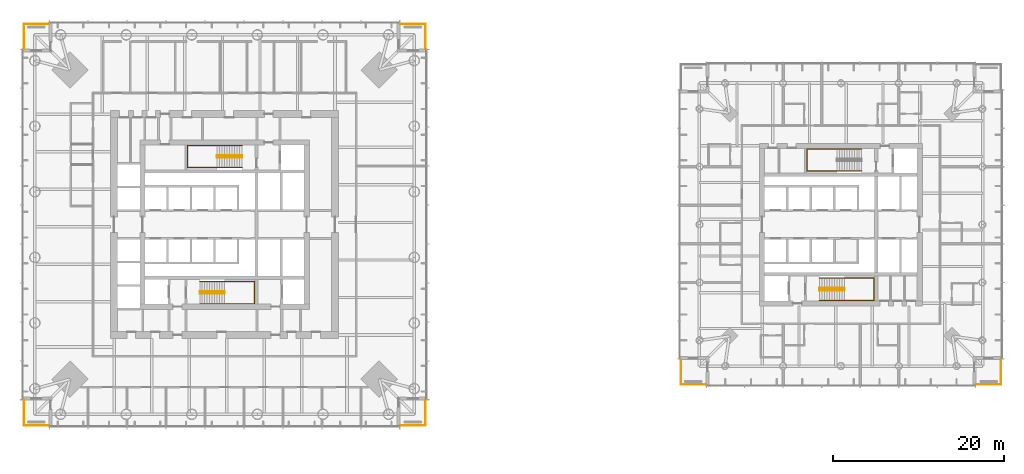
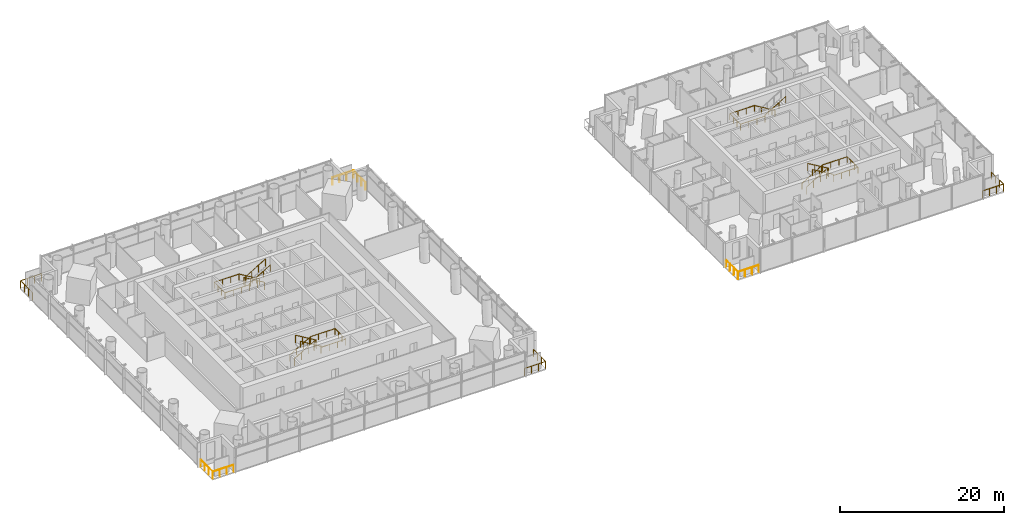
# One storey, part 23 of 24: 13 railings.
"""IFC4 building model written with IfcOpenShell, lengths in metres."""

from ifc_helpers import new_model, si_unit, direction, frame, origin, origin_2d, place, context, subcontext, project, spatial, circle, extrude, material, type_object, element, save


model = new_model("IFC4")

# Units and contexts
model_context = context("Model", 3, precision=1e-05, world=origin(), true_north=direction((0.0, 1.0)))
body_context = subcontext(model_context, "Body", "Model", "MODEL_VIEW")
ifc_project = project(units=[si_unit("LENGTHUNIT", "METRE"), si_unit("AREAUNIT", "SQUARE_METRE"), si_unit("VOLUMEUNIT", "CUBIC_METRE"), si_unit("PLANEANGLEUNIT", "RADIAN"), si_unit("MASSUNIT", "GRAM", prefix="KILO")], contexts=[model_context])

# Site, building, storey
site_placement = place(None, origin())
site = spatial("IfcSite", under=ifc_project, at=site_placement, CompositionType="ELEMENT")
building_placement = place(site_placement, origin())
building = spatial("IfcBuilding", under=site, at=building_placement, Name="Ostroluk Exchange", CompositionType="ELEMENT")
storey_placement = place(building_placement, frame((0.0, 0.0, 78.0)))
storey = spatial("IfcBuildingStorey", under=building, at=storey_placement, Name="L19", CompositionType="ELEMENT", Elevation=78.0)

# Railings
ifc_material_1 = material(Name="Stainless steel", Category="steel")
railing_type_1 = type_object("IfcRailingType", Name="Guard 1100 stainless steel", PredefinedType="GUARDRAIL", material=ifc_material_1)
railing_1_placement = place(storey_placement, frame((65.5, 22.550048828125, 0.0)))
element("IfcRailing", 1, at=railing_1_placement, inside=storey, type_object=railing_type_1, Name="Office tower SE balcony guard L19", PredefinedType="GUARDRAIL", context=body_context, shape_type="SweptSolid", body=[
    extrude(circle(Radius=0.02392578125, at=origin_2d()), frame((0.0, 0.0, 1.076171875), z_axis=(1.0, 0.0, 0.0), x_axis=(0.0, 1.0, 0.0)), (0.0, 0.0, 1.0), 2.949951171875),
    extrude(circle(Radius=0.02392578125, at=origin_2d()), frame((2.949951171875, 0.0, 1.076171875), z_axis=(0.0, 1.0, 0.0), x_axis=(-1.0, 0.0, 0.0)), (0.0, 0.0, 1.0), 2.949951171875),
    extrude(circle(Radius=0.02099609375, at=origin_2d()), origin(), (0.0, 0.0, 1.0), 1.052001953125),
    extrude(circle(Radius=0.02099609375, at=origin_2d()), frame((0.9833984375, 0.0, 0.0)), (0.0, 0.0, 1.0), 1.052001953125),
    extrude(circle(Radius=0.02099609375, at=origin_2d()), frame((1.966552734375, 0.0, 0.0)), (0.0, 0.0, 1.0), 1.052001953125),
    extrude(circle(Radius=0.02099609375, at=origin_2d()), frame((2.949951171875, 0.0, 0.0)), (0.0, 0.0, 1.0), 1.052001953125),
    extrude(circle(Radius=0.02099609375, at=origin_2d()), frame((2.949951171875, 0.9833984375, 0.0)), (0.0, 0.0, 1.0), 1.052001953125),
    extrude(circle(Radius=0.02099609375, at=origin_2d()), frame((2.949951171875, 1.966552734375, 0.0)), (0.0, 0.0, 1.0), 1.052001953125),
    extrude(circle(Radius=0.02099609375, at=origin_2d()), frame((2.949951171875, 2.949951171875, 0.0)), (0.0, 0.0, 1.0), 1.052001953125),
])
railing_2_placement = place(storey_placement, frame((65.5, 69.449951171875, 0.0)))
element("IfcRailing", 2, at=railing_2_placement, inside=storey, type_object=railing_type_1, Name="Office tower NE balcony guard L19", PredefinedType="GUARDRAIL", context=body_context, shape_type="SweptSolid", body=[
    extrude(circle(Radius=0.02392578125, at=origin_2d()), frame((0.0, 0.0, 1.076171875), z_axis=(1.0, 0.0, 0.0), x_axis=(0.0, 1.0, 0.0)), (0.0, 0.0, 1.0), 2.949951171875),
    extrude(circle(Radius=0.02392578125, at=origin_2d()), frame((2.949951171875, 0.0, 1.076171875), z_axis=(0.0, -1.0, 0.0), x_axis=(1.0, 0.0, 0.0)), (0.0, 0.0, 1.0), 2.949951171875),
    extrude(circle(Radius=0.02099609375, at=origin_2d()), origin(), (0.0, 0.0, 1.0), 1.052001953125),
    extrude(circle(Radius=0.02099609375, at=origin_2d()), frame((0.9833984375, 0.0, 0.0)), (0.0, 0.0, 1.0), 1.052001953125),
    extrude(circle(Radius=0.02099609375, at=origin_2d()), frame((1.966552734375, 0.0, 0.0)), (0.0, 0.0, 1.0), 1.052001953125),
    extrude(circle(Radius=0.02099609375, at=origin_2d()), frame((2.949951171875, 0.0, 0.0)), (0.0, 0.0, 1.0), 1.052001953125),
    extrude(circle(Radius=0.02099609375, at=origin_2d()), frame((2.949951171875, -0.9833984375, 0.0)), (0.0, 0.0, 1.0), 1.052001953125),
    extrude(circle(Radius=0.02099609375, at=origin_2d()), frame((2.949951171875, -1.966552734375, 0.0)), (0.0, 0.0, 1.0), 1.052001953125),
    extrude(circle(Radius=0.02099609375, at=origin_2d()), frame((2.949951171875, -2.949951171875, 0.0)), (0.0, 0.0, 1.0), 1.052001953125),
])
railing_3_placement = place(storey_placement, frame((24.5, 69.449951171875, 0.0)))
element("IfcRailing", 3, at=railing_3_placement, inside=storey, type_object=railing_type_1, Name="Office tower NW balcony guard L19", PredefinedType="GUARDRAIL", context=body_context, shape_type="SweptSolid", body=[
    extrude(circle(Radius=0.02392578125, at=origin_2d()), frame((0.0, 0.0, 1.076171875), z_axis=(-1.0, 0.0, 0.0), x_axis=(0.0, -1.0, 0.0)), (0.0, 0.0, 1.0), 2.949951171875),
    extrude(circle(Radius=0.02392578125, at=origin_2d()), frame((-2.949951171875, 0.0, 1.076171875), z_axis=(0.0, -1.0, 0.0), x_axis=(1.0, 0.0, 0.0)), (0.0, 0.0, 1.0), 2.949951171875),
    extrude(circle(Radius=0.02099609375, at=origin_2d()), origin(), (0.0, 0.0, 1.0), 1.052001953125),
    extrude(circle(Radius=0.02099609375, at=origin_2d()), frame((-0.9833984375, 0.0, 0.0)), (0.0, 0.0, 1.0), 1.052001953125),
    extrude(circle(Radius=0.02099609375, at=origin_2d()), frame((-1.966552734375, 0.0, 0.0)), (0.0, 0.0, 1.0), 1.052001953125),
    extrude(circle(Radius=0.02099609375, at=origin_2d()), frame((-2.949951171875, 0.0, 0.0)), (0.0, 0.0, 1.0), 1.052001953125),
    extrude(circle(Radius=0.02099609375, at=origin_2d()), frame((-2.949951171875, -0.9833984375, 0.0)), (0.0, 0.0, 1.0), 1.052001953125),
    extrude(circle(Radius=0.02099609375, at=origin_2d()), frame((-2.949951171875, -1.966552734375, 0.0)), (0.0, 0.0, 1.0), 1.052001953125),
    extrude(circle(Radius=0.02099609375, at=origin_2d()), frame((-2.949951171875, -2.949951171875, 0.0)), (0.0, 0.0, 1.0), 1.052001953125),
])
railing_4_placement = place(storey_placement, frame((24.5, 22.550048828125, 0.0)))
element("IfcRailing", 4, at=railing_4_placement, inside=storey, type_object=railing_type_1, Name="Office tower SW balcony guard L19", PredefinedType="GUARDRAIL", context=body_context, shape_type="SweptSolid", body=[
    extrude(circle(Radius=0.02392578125, at=origin_2d()), frame((0.0, 0.0, 1.076171875), z_axis=(-1.0, 0.0, 0.0), x_axis=(0.0, -1.0, 0.0)), (0.0, 0.0, 1.0), 2.949951171875),
    extrude(circle(Radius=0.02392578125, at=origin_2d()), frame((-2.949951171875, 0.0, 1.076171875), z_axis=(0.0, 1.0, 0.0), x_axis=(-1.0, 0.0, 0.0)), (0.0, 0.0, 1.0), 2.949951171875),
    extrude(circle(Radius=0.02099609375, at=origin_2d()), origin(), (0.0, 0.0, 1.0), 1.052001953125),
    extrude(circle(Radius=0.02099609375, at=origin_2d()), frame((-0.9833984375, 0.0, 0.0)), (0.0, 0.0, 1.0), 1.052001953125),
    extrude(circle(Radius=0.02099609375, at=origin_2d()), frame((-1.966552734375, 0.0, 0.0)), (0.0, 0.0, 1.0), 1.052001953125),
    extrude(circle(Radius=0.02099609375, at=origin_2d()), frame((-2.949951171875, 0.0, 0.0)), (0.0, 0.0, 1.0), 1.052001953125),
    extrude(circle(Radius=0.02099609375, at=origin_2d()), frame((-2.949951171875, 0.9833984375, 0.0)), (0.0, 0.0, 1.0), 1.052001953125),
    extrude(circle(Radius=0.02099609375, at=origin_2d()), frame((-2.949951171875, 1.966552734375, 0.0)), (0.0, 0.0, 1.0), 1.052001953125),
    extrude(circle(Radius=0.02099609375, at=origin_2d()), frame((-2.949951171875, 2.949951171875, 0.0)), (0.0, 0.0, 1.0), 1.052001953125),
])
railing_5_placement = place(storey_placement, frame((132.75, 27.300048828125, 0.0)))
element("IfcRailing", 5, at=railing_5_placement, inside=storey, type_object=railing_type_1, Name="Hotel tower SE balcony guard L19", PredefinedType="GUARDRAIL", context=body_context, shape_type="SweptSolid", body=[
    extrude(circle(Radius=0.02392578125, at=origin_2d()), frame((0.0, 0.0, 1.076171875), z_axis=(1.0, 0.0, 0.0), x_axis=(0.0, 1.0, 0.0)), (0.0, 0.0, 1.0), 2.949951171875),
    extrude(circle(Radius=0.02392578125, at=origin_2d()), frame((2.949951171875, 0.0, 1.076171875), z_axis=(0.0, 1.0, 0.0), x_axis=(-1.0, 0.0, 0.0)), (0.0, 0.0, 1.0), 2.949951171875),
    extrude(circle(Radius=0.02099609375, at=origin_2d()), origin(), (0.0, 0.0, 1.0), 1.052001953125),
    extrude(circle(Radius=0.02099609375, at=origin_2d()), frame((0.9833984375, 0.0, 0.0)), (0.0, 0.0, 1.0), 1.052001953125),
    extrude(circle(Radius=0.02099609375, at=origin_2d()), frame((1.966552734375, 0.0, 0.0)), (0.0, 0.0, 1.0), 1.052001953125),
    extrude(circle(Radius=0.02099609375, at=origin_2d()), frame((2.949951171875, 0.0, 0.0)), (0.0, 0.0, 1.0), 1.052001953125),
    extrude(circle(Radius=0.02099609375, at=origin_2d()), frame((2.949951171875, 0.9833984375, 0.0)), (0.0, 0.0, 1.0), 1.052001953125),
    extrude(circle(Radius=0.02099609375, at=origin_2d()), frame((2.949951171875, 1.966552734375, 0.0)), (0.0, 0.0, 1.0), 1.052001953125),
    extrude(circle(Radius=0.02099609375, at=origin_2d()), frame((2.949951171875, 2.949951171875, 0.0)), (0.0, 0.0, 1.0), 1.052001953125),
])
railing_6_placement = place(storey_placement, frame((101.25, 27.300048828125, 0.0)))
element("IfcRailing", 6, at=railing_6_placement, inside=storey, type_object=railing_type_1, Name="Hotel tower SW balcony guard L19", PredefinedType="GUARDRAIL", context=body_context, shape_type="SweptSolid", body=[
    extrude(circle(Radius=0.02392578125, at=origin_2d()), frame((0.0, 0.0, 1.076171875), z_axis=(-1.0, 0.0, 0.0), x_axis=(0.0, -1.0, 0.0)), (0.0, 0.0, 1.0), 2.949951171875),
    extrude(circle(Radius=0.02392578125, at=origin_2d()), frame((-2.949951171875, 0.0, 1.076171875), z_axis=(0.0, 1.0, 0.0), x_axis=(-1.0, 0.0, 0.0)), (0.0, 0.0, 1.0), 2.949951171875),
    extrude(circle(Radius=0.02099609375, at=origin_2d()), origin(), (0.0, 0.0, 1.0), 1.052001953125),
    extrude(circle(Radius=0.02099609375, at=origin_2d()), frame((-0.9833984375, 0.0, 0.0)), (0.0, 0.0, 1.0), 1.052001953125),
    extrude(circle(Radius=0.02099609375, at=origin_2d()), frame((-1.966552734375, 0.0, 0.0)), (0.0, 0.0, 1.0), 1.052001953125),
    extrude(circle(Radius=0.02099609375, at=origin_2d()), frame((-2.949951171875, 0.0, 0.0)), (0.0, 0.0, 1.0), 1.052001953125),
    extrude(circle(Radius=0.02099609375, at=origin_2d()), frame((-2.949951171875, 0.9833984375, 0.0)), (0.0, 0.0, 1.0), 1.052001953125),
    extrude(circle(Radius=0.02099609375, at=origin_2d()), frame((-2.949951171875, 1.966552734375, 0.0)), (0.0, 0.0, 1.0), 1.052001953125),
    extrude(circle(Radius=0.02099609375, at=origin_2d()), frame((-2.949951171875, 2.949951171875, 0.0)), (0.0, 0.0, 1.0), 1.052001953125),
])
ifc_material_2 = material(Name="Steel S355", Category="steel")
railing_type_2 = type_object("IfcRailingType", Name="Stair guard 1100", PredefinedType="GUARDRAIL", material=ifc_material_2)
railing_7_placement = place(storey_placement, frame((42.10009765625, 38.179931640625, 0.172607421875)))
element("IfcRailing", 7, at=railing_7_placement, inside=storey, type_object=railing_type_2, Name="Stair T1-S1 guard L19", PredefinedType="GUARDRAIL", context=body_context, shape_type="SweptSolid", body=[
    extrude(circle(Radius=0.02392578125, at=origin_2d()), frame((0.0, 0.0, 1.076171875), z_axis=(0.859141464434, 0.0, 0.511738159696), x_axis=(0.0, 1.0, 0.0)), (0.0, 0.0, 1.0), 3.375244140625),
    extrude(circle(Radius=0.02392578125, at=origin_2d()), frame((2.89990234375, 0.0, 2.80322265625), z_axis=(0.0, -1.0, 0.0), x_axis=(1.0, 0.0, 0.0)), (0.0, 0.0, 1.0), 0.260009765625),
    extrude(circle(Radius=0.02392578125, at=origin_2d()), frame((2.89990234375, -0.260009765625, 2.80322265625), z_axis=(0.0, 0.0, 1.0), x_axis=(1.0, 0.0, 0.0)), (0.0, 0.0, 1.0), 0.1728515625),
    extrude(circle(Radius=0.02392578125, at=origin_2d()), frame((2.89990234375, -0.260009765625, 2.97607421875), z_axis=(-0.859141464434, 0.0, 0.511738159696), x_axis=(0.0, -1.0, 0.0)), (0.0, 0.0, 1.0), 3.375244140625),
    extrude(circle(Radius=0.02099609375, at=origin_2d()), origin(), (0.0, 0.0, 1.0), 1.052001953125),
    extrude(circle(Radius=0.02099609375, at=origin_2d()), frame((0.966552734375, 0.0, 0.57568359375)), (0.0, 0.0, 1.0), 1.052001953125),
    extrude(circle(Radius=0.02099609375, at=origin_2d()), frame((1.933349609375, 0.0, 1.151611328125)), (0.0, 0.0, 1.0), 1.052001953125),
    extrude(circle(Radius=0.02099609375, at=origin_2d()), frame((2.89990234375, 0.0, 1.727294921875)), (0.0, 0.0, 1.0), 1.052001953125),
    extrude(circle(Radius=0.02099609375, at=origin_2d()), frame((2.89990234375, -0.260009765625, 1.727294921875)), (0.0, 0.0, 1.0), 1.052001953125),
    extrude(circle(Radius=0.02099609375, at=origin_2d()), frame((2.89990234375, -0.260009765625, 1.900146484375)), (0.0, 0.0, 1.0), 1.052001953125),
    extrude(circle(Radius=0.02099609375, at=origin_2d()), frame((1.933349609375, -0.260009765625, 2.475830078125)), (0.0, 0.0, 1.0), 1.052001953125),
    extrude(circle(Radius=0.02099609375, at=origin_2d()), frame((0.966552734375, -0.260009765625, 3.0517578125)), (0.0, 0.0, 1.0), 1.052001953125),
    extrude(circle(Radius=0.02099609375, at=origin_2d()), frame((0.0, -0.260009765625, 3.62744140625)), (0.0, 0.0, 1.0), 1.052001953125),
])
railing_8_placement = place(storey_placement, frame((47.030029296875, 54.080078125, 0.172607421875)))
element("IfcRailing", 8, at=railing_8_placement, inside=storey, type_object=railing_type_2, Name="Stair T1-S2 guard L19", PredefinedType="GUARDRAIL", context=body_context, shape_type="SweptSolid", body=[
    extrude(circle(Radius=0.02392578125, at=origin_2d()), frame((0.0, 0.0, 1.076171875), z_axis=(-0.859160404282, 0.0, 0.51170636083), x_axis=(0.0, -1.0, 0.0)), (0.0, 0.0, 1.0), 3.37548828125),
    extrude(circle(Radius=0.02392578125, at=origin_2d()), frame((-2.900146484375, 0.0, 2.80322265625), z_axis=(0.0, -1.0, 0.0), x_axis=(1.0, 0.0, 0.0)), (0.0, 0.0, 1.0), 0.260009765625),
    extrude(circle(Radius=0.02392578125, at=origin_2d()), frame((-2.900146484375, -0.260009765625, 2.80322265625), z_axis=(0.0, 0.0, 1.0), x_axis=(1.0, 0.0, 0.0)), (0.0, 0.0, 1.0), 0.1728515625),
    extrude(circle(Radius=0.02392578125, at=origin_2d()), frame((-2.900146484375, -0.260009765625, 2.97607421875), z_axis=(0.859160404282, 0.0, 0.51170636083), x_axis=(0.0, 1.0, 0.0)), (0.0, 0.0, 1.0), 3.37548828125),
    extrude(circle(Radius=0.02099609375, at=origin_2d()), origin(), (0.0, 0.0, 1.0), 1.052001953125),
    extrude(circle(Radius=0.02099609375, at=origin_2d()), frame((-0.966796875, 0.0, 0.57568359375)), (0.0, 0.0, 1.0), 1.052001953125),
    extrude(circle(Radius=0.02099609375, at=origin_2d()), frame((-1.933349609375, 0.0, 1.151611328125)), (0.0, 0.0, 1.0), 1.052001953125),
    extrude(circle(Radius=0.02099609375, at=origin_2d()), frame((-2.900146484375, 0.0, 1.727294921875)), (0.0, 0.0, 1.0), 1.052001953125),
    extrude(circle(Radius=0.02099609375, at=origin_2d()), frame((-2.900146484375, -0.260009765625, 1.727294921875)), (0.0, 0.0, 1.0), 1.052001953125),
    extrude(circle(Radius=0.02099609375, at=origin_2d()), frame((-2.900146484375, -0.260009765625, 1.900146484375)), (0.0, 0.0, 1.0), 1.052001953125),
    extrude(circle(Radius=0.02099609375, at=origin_2d()), frame((-1.933349609375, -0.260009765625, 2.475830078125)), (0.0, 0.0, 1.0), 1.052001953125),
    extrude(circle(Radius=0.02099609375, at=origin_2d()), frame((-0.966796875, -0.260009765625, 3.0517578125)), (0.0, 0.0, 1.0), 1.052001953125),
    extrude(circle(Radius=0.02099609375, at=origin_2d()), frame((0.0, -0.260009765625, 3.62744140625)), (0.0, 0.0, 1.0), 1.052001953125),
])
railing_9_placement = place(storey_placement, frame((114.5, 38.580078125, 0.172607421875)))
element("IfcRailing", 9, at=railing_9_placement, inside=storey, type_object=railing_type_2, Name="Stair T2-S1 guard L19", PredefinedType="GUARDRAIL", context=body_context, shape_type="SweptSolid", body=[
    extrude(circle(Radius=0.02392578125, at=origin_2d()), frame((0.0, 0.0, 1.076171875), z_axis=(0.859141464434, 0.0, 0.511738159696), x_axis=(0.0, 1.0, 0.0)), (0.0, 0.0, 1.0), 3.375244140625),
    extrude(circle(Radius=0.02392578125, at=origin_2d()), frame((2.89990234375, 0.0, 2.80322265625), z_axis=(0.0, -1.0, 0.0), x_axis=(1.0, 0.0, 0.0)), (0.0, 0.0, 1.0), 0.260009765625),
    extrude(circle(Radius=0.02392578125, at=origin_2d()), frame((2.89990234375, -0.260009765625, 2.80322265625), z_axis=(0.0, 0.0, 1.0), x_axis=(1.0, 0.0, 0.0)), (0.0, 0.0, 1.0), 0.1728515625),
    extrude(circle(Radius=0.02392578125, at=origin_2d()), frame((2.89990234375, -0.260009765625, 2.97607421875), z_axis=(-0.859141464434, 0.0, 0.511738159696), x_axis=(0.0, -1.0, 0.0)), (0.0, 0.0, 1.0), 3.375244140625),
    extrude(circle(Radius=0.02099609375, at=origin_2d()), origin(), (0.0, 0.0, 1.0), 1.052001953125),
    extrude(circle(Radius=0.02099609375, at=origin_2d()), frame((0.966552734375, 0.0, 0.57568359375)), (0.0, 0.0, 1.0), 1.052001953125),
    extrude(circle(Radius=0.02099609375, at=origin_2d()), frame((1.933349609375, 0.0, 1.151611328125)), (0.0, 0.0, 1.0), 1.052001953125),
    extrude(circle(Radius=0.02099609375, at=origin_2d()), frame((2.89990234375, 0.0, 1.727294921875)), (0.0, 0.0, 1.0), 1.052001953125),
    extrude(circle(Radius=0.02099609375, at=origin_2d()), frame((2.89990234375, -0.260009765625, 1.727294921875)), (0.0, 0.0, 1.0), 1.052001953125),
    extrude(circle(Radius=0.02099609375, at=origin_2d()), frame((2.89990234375, -0.260009765625, 1.900146484375)), (0.0, 0.0, 1.0), 1.052001953125),
    extrude(circle(Radius=0.02099609375, at=origin_2d()), frame((1.933349609375, -0.260009765625, 2.475830078125)), (0.0, 0.0, 1.0), 1.052001953125),
    extrude(circle(Radius=0.02099609375, at=origin_2d()), frame((0.966552734375, -0.260009765625, 3.0517578125)), (0.0, 0.0, 1.0), 1.052001953125),
    extrude(circle(Radius=0.02099609375, at=origin_2d()), frame((0.0, -0.260009765625, 3.62744140625)), (0.0, 0.0, 1.0), 1.052001953125),
])
ifc_material_3 = material(Name="Stainless steel", Category="steel")
railing_type_3 = type_object("IfcRailingType", Name="Stair handrail 900", PredefinedType="HANDRAIL", material=ifc_material_3)
railing_10_placement = place(storey_placement, frame((42.10009765625, 39.35009765625, 0.172607421875)))
element("IfcRailing", 10, at=railing_10_placement, inside=storey, type_object=railing_type_3, Name="Stair T1-S1 handrail L19", PredefinedType="HANDRAIL", context=body_context, shape_type="SweptSolid", body=[
    extrude(circle(Radius=0.02392578125, at=origin_2d()), frame((0.0, 0.0, 0.8759765625), z_axis=(0.859141464434, 0.0, 0.511738159696), x_axis=(0.0, 1.0, 0.0)), (0.0, 0.0, 1.0), 3.375244140625),
    extrude(circle(Radius=0.02392578125, at=origin_2d()), frame((2.89990234375, 0.0, 2.60302734375), z_axis=(1.0, 0.0, 0.0), x_axis=(0.0, 1.0, 0.0)), (0.0, 0.0, 1.0), 3.47998046875),
    extrude(circle(Radius=0.02392578125, at=origin_2d()), frame((6.3798828125, 0.0, 2.60302734375), z_axis=(0.0, -1.0, 0.0), x_axis=(1.0, 0.0, 0.0)), (0.0, 0.0, 1.0), 2.60009765625),
    extrude(circle(Radius=0.02392578125, at=origin_2d()), frame((6.3798828125, -2.60009765625, 2.60302734375), z_axis=(-1.0, 0.0, 0.0), x_axis=(0.0, -1.0, 0.0)), (0.0, 0.0, 1.0), 3.47998046875),
    extrude(circle(Radius=0.02392578125, at=origin_2d()), frame((2.89990234375, -2.60009765625, 2.60302734375), z_axis=(0.0, 0.0, 1.0), x_axis=(1.0, 0.0, 0.0)), (0.0, 0.0, 1.0), 0.1728515625),
    extrude(circle(Radius=0.02392578125, at=origin_2d()), frame((2.89990234375, -2.60009765625, 2.77587890625), z_axis=(-0.859141464434, 0.0, 0.511738159696), x_axis=(0.0, -1.0, 0.0)), (0.0, 0.0, 1.0), 3.375244140625),
    extrude(circle(Radius=0.02099609375, at=origin_2d()), origin(), (0.0, 0.0, 1.0), 0.851806640625),
    extrude(circle(Radius=0.02099609375, at=origin_2d()), frame((0.966552734375, 0.0, 0.57568359375)), (0.0, 0.0, 1.0), 0.851806640625),
    extrude(circle(Radius=0.02099609375, at=origin_2d()), frame((1.933349609375, 0.0, 1.151611328125)), (0.0, 0.0, 1.0), 0.851806640625),
    extrude(circle(Radius=0.02099609375, at=origin_2d()), frame((2.89990234375, 0.0, 1.727294921875)), (0.0, 0.0, 1.0), 0.851806640625),
    extrude(circle(Radius=0.02099609375, at=origin_2d()), frame((4.059814453125, 0.0, 1.727294921875)), (0.0, 0.0, 1.0), 0.851806640625),
    extrude(circle(Radius=0.02099609375, at=origin_2d()), frame((5.219970703125, 0.0, 1.727294921875)), (0.0, 0.0, 1.0), 0.851806640625),
    extrude(circle(Radius=0.02099609375, at=origin_2d()), frame((6.3798828125, 0.0, 1.727294921875)), (0.0, 0.0, 1.0), 0.851806640625),
    extrude(circle(Radius=0.02099609375, at=origin_2d()), frame((6.3798828125, -0.86669921875, 1.727294921875)), (0.0, 0.0, 1.0), 0.851806640625),
    extrude(circle(Radius=0.02099609375, at=origin_2d()), frame((6.3798828125, -1.7333984375, 1.727294921875)), (0.0, 0.0, 1.0), 0.851806640625),
    extrude(circle(Radius=0.02099609375, at=origin_2d()), frame((6.3798828125, -2.60009765625, 1.727294921875)), (0.0, 0.0, 1.0), 0.851806640625),
    extrude(circle(Radius=0.02099609375, at=origin_2d()), frame((5.219970703125, -2.60009765625, 1.727294921875)), (0.0, 0.0, 1.0), 0.851806640625),
    extrude(circle(Radius=0.02099609375, at=origin_2d()), frame((4.059814453125, -2.60009765625, 1.727294921875)), (0.0, 0.0, 1.0), 0.851806640625),
    extrude(circle(Radius=0.02099609375, at=origin_2d()), frame((2.89990234375, -2.60009765625, 1.727294921875)), (0.0, 0.0, 1.0), 0.851806640625),
    extrude(circle(Radius=0.02099609375, at=origin_2d()), frame((2.89990234375, -2.60009765625, 1.900146484375)), (0.0, 0.0, 1.0), 0.851806640625),
    extrude(circle(Radius=0.02099609375, at=origin_2d()), frame((1.933349609375, -2.60009765625, 2.475830078125)), (0.0, 0.0, 1.0), 0.851806640625),
    extrude(circle(Radius=0.02099609375, at=origin_2d()), frame((0.966552734375, -2.60009765625, 3.0517578125)), (0.0, 0.0, 1.0), 0.851806640625),
    extrude(circle(Radius=0.02099609375, at=origin_2d()), frame((0.0, -2.60009765625, 3.62744140625)), (0.0, 0.0, 1.0), 0.851806640625),
])
railing_11_placement = place(storey_placement, frame((47.030029296875, 55.25, 0.172607421875)))
element("IfcRailing", 11, at=railing_11_placement, inside=storey, type_object=railing_type_3, Name="Stair T1-S2 handrail L19", PredefinedType="HANDRAIL", context=body_context, shape_type="SweptSolid", body=[
    extrude(circle(Radius=0.02392578125, at=origin_2d()), frame((0.0, 0.0, 0.8759765625), z_axis=(-0.859160404282, 0.0, 0.51170636083), x_axis=(0.0, -1.0, 0.0)), (0.0, 0.0, 1.0), 3.37548828125),
    extrude(circle(Radius=0.02392578125, at=origin_2d()), frame((-2.900146484375, 0.0, 2.60302734375), z_axis=(-1.0, 0.0, 0.0), x_axis=(0.0, -1.0, 0.0)), (0.0, 0.0, 1.0), 3.47998046875),
    extrude(circle(Radius=0.02392578125, at=origin_2d()), frame((-6.380126953125, 0.0, 2.60302734375), z_axis=(0.0, -1.0, 0.0), x_axis=(1.0, 0.0, 0.0)), (0.0, 0.0, 1.0), 2.60009765625),
    extrude(circle(Radius=0.02392578125, at=origin_2d()), frame((-6.380126953125, -2.60009765625, 2.60302734375), z_axis=(1.0, 0.0, 0.0), x_axis=(0.0, 1.0, 0.0)), (0.0, 0.0, 1.0), 3.47998046875),
    extrude(circle(Radius=0.02392578125, at=origin_2d()), frame((-2.900146484375, -2.60009765625, 2.60302734375), z_axis=(0.0, 0.0, 1.0), x_axis=(1.0, 0.0, 0.0)), (0.0, 0.0, 1.0), 0.1728515625),
    extrude(circle(Radius=0.02392578125, at=origin_2d()), frame((-2.900146484375, -2.60009765625, 2.77587890625), z_axis=(0.859160404282, 0.0, 0.51170636083), x_axis=(0.0, 1.0, 0.0)), (0.0, 0.0, 1.0), 3.37548828125),
    extrude(circle(Radius=0.02099609375, at=origin_2d()), origin(), (0.0, 0.0, 1.0), 0.851806640625),
    extrude(circle(Radius=0.02099609375, at=origin_2d()), frame((-0.966796875, 0.0, 0.57568359375)), (0.0, 0.0, 1.0), 0.851806640625),
    extrude(circle(Radius=0.02099609375, at=origin_2d()), frame((-1.933349609375, 0.0, 1.151611328125)), (0.0, 0.0, 1.0), 0.851806640625),
    extrude(circle(Radius=0.02099609375, at=origin_2d()), frame((-2.900146484375, 0.0, 1.727294921875)), (0.0, 0.0, 1.0), 0.851806640625),
    extrude(circle(Radius=0.02099609375, at=origin_2d()), frame((-4.06005859375, 0.0, 1.727294921875)), (0.0, 0.0, 1.0), 0.851806640625),
    extrude(circle(Radius=0.02099609375, at=origin_2d()), frame((-5.22021484375, 0.0, 1.727294921875)), (0.0, 0.0, 1.0), 0.851806640625),
    extrude(circle(Radius=0.02099609375, at=origin_2d()), frame((-6.380126953125, 0.0, 1.727294921875)), (0.0, 0.0, 1.0), 0.851806640625),
    extrude(circle(Radius=0.02099609375, at=origin_2d()), frame((-6.380126953125, -0.86669921875, 1.727294921875)), (0.0, 0.0, 1.0), 0.851806640625),
    extrude(circle(Radius=0.02099609375, at=origin_2d()), frame((-6.380126953125, -1.7333984375, 1.727294921875)), (0.0, 0.0, 1.0), 0.851806640625),
    extrude(circle(Radius=0.02099609375, at=origin_2d()), frame((-6.380126953125, -2.60009765625, 1.727294921875)), (0.0, 0.0, 1.0), 0.851806640625),
    extrude(circle(Radius=0.02099609375, at=origin_2d()), frame((-5.22021484375, -2.60009765625, 1.727294921875)), (0.0, 0.0, 1.0), 0.851806640625),
    extrude(circle(Radius=0.02099609375, at=origin_2d()), frame((-4.06005859375, -2.60009765625, 1.727294921875)), (0.0, 0.0, 1.0), 0.851806640625),
    extrude(circle(Radius=0.02099609375, at=origin_2d()), frame((-2.900146484375, -2.60009765625, 1.727294921875)), (0.0, 0.0, 1.0), 0.851806640625),
    extrude(circle(Radius=0.02099609375, at=origin_2d()), frame((-2.900146484375, -2.60009765625, 1.900146484375)), (0.0, 0.0, 1.0), 0.851806640625),
    extrude(circle(Radius=0.02099609375, at=origin_2d()), frame((-1.933349609375, -2.60009765625, 2.475830078125)), (0.0, 0.0, 1.0), 0.851806640625),
    extrude(circle(Radius=0.02099609375, at=origin_2d()), frame((-0.966796875, -2.60009765625, 3.0517578125)), (0.0, 0.0, 1.0), 0.851806640625),
    extrude(circle(Radius=0.02099609375, at=origin_2d()), frame((0.0, -2.60009765625, 3.62744140625)), (0.0, 0.0, 1.0), 0.851806640625),
])
railing_12_placement = place(storey_placement, frame((114.5, 39.75, 0.172607421875)))
element("IfcRailing", 12, at=railing_12_placement, inside=storey, type_object=railing_type_3, Name="Stair T2-S1 handrail L19", PredefinedType="HANDRAIL", context=body_context, shape_type="SweptSolid", body=[
    extrude(circle(Radius=0.02392578125, at=origin_2d()), frame((0.0, 0.0, 0.8759765625), z_axis=(0.859141464434, 0.0, 0.511738159696), x_axis=(0.0, 1.0, 0.0)), (0.0, 0.0, 1.0), 3.375244140625),
    extrude(circle(Radius=0.02392578125, at=origin_2d()), frame((2.89990234375, 0.0, 2.60302734375), z_axis=(1.0, 0.0, 0.0), x_axis=(0.0, 1.0, 0.0)), (0.0, 0.0, 1.0), 3.47998046875),
    extrude(circle(Radius=0.02392578125, at=origin_2d()), frame((6.3798828125, 0.0, 2.60302734375), z_axis=(0.0, -1.0, 0.0), x_axis=(1.0, 0.0, 0.0)), (0.0, 0.0, 1.0), 2.60009765625),
    extrude(circle(Radius=0.02392578125, at=origin_2d()), frame((6.3798828125, -2.60009765625, 2.60302734375), z_axis=(-1.0, 0.0, 0.0), x_axis=(0.0, -1.0, 0.0)), (0.0, 0.0, 1.0), 3.47998046875),
    extrude(circle(Radius=0.02392578125, at=origin_2d()), frame((2.89990234375, -2.60009765625, 2.60302734375), z_axis=(0.0, 0.0, 1.0), x_axis=(1.0, 0.0, 0.0)), (0.0, 0.0, 1.0), 0.1728515625),
    extrude(circle(Radius=0.02392578125, at=origin_2d()), frame((2.89990234375, -2.60009765625, 2.77587890625), z_axis=(-0.859141464434, 0.0, 0.511738159696), x_axis=(0.0, -1.0, 0.0)), (0.0, 0.0, 1.0), 3.375244140625),
    extrude(circle(Radius=0.02099609375, at=origin_2d()), origin(), (0.0, 0.0, 1.0), 0.851806640625),
    extrude(circle(Radius=0.02099609375, at=origin_2d()), frame((0.966552734375, 0.0, 0.57568359375)), (0.0, 0.0, 1.0), 0.851806640625),
    extrude(circle(Radius=0.02099609375, at=origin_2d()), frame((1.933349609375, 0.0, 1.151611328125)), (0.0, 0.0, 1.0), 0.851806640625),
    extrude(circle(Radius=0.02099609375, at=origin_2d()), frame((2.89990234375, 0.0, 1.727294921875)), (0.0, 0.0, 1.0), 0.851806640625),
    extrude(circle(Radius=0.02099609375, at=origin_2d()), frame((4.059814453125, 0.0, 1.727294921875)), (0.0, 0.0, 1.0), 0.851806640625),
    extrude(circle(Radius=0.02099609375, at=origin_2d()), frame((5.219970703125, 0.0, 1.727294921875)), (0.0, 0.0, 1.0), 0.851806640625),
    extrude(circle(Radius=0.02099609375, at=origin_2d()), frame((6.3798828125, 0.0, 1.727294921875)), (0.0, 0.0, 1.0), 0.851806640625),
    extrude(circle(Radius=0.02099609375, at=origin_2d()), frame((6.3798828125, -0.86669921875, 1.727294921875)), (0.0, 0.0, 1.0), 0.851806640625),
    extrude(circle(Radius=0.02099609375, at=origin_2d()), frame((6.3798828125, -1.7333984375, 1.727294921875)), (0.0, 0.0, 1.0), 0.851806640625),
    extrude(circle(Radius=0.02099609375, at=origin_2d()), frame((6.3798828125, -2.60009765625, 1.727294921875)), (0.0, 0.0, 1.0), 0.851806640625),
    extrude(circle(Radius=0.02099609375, at=origin_2d()), frame((5.219970703125, -2.60009765625, 1.727294921875)), (0.0, 0.0, 1.0), 0.851806640625),
    extrude(circle(Radius=0.02099609375, at=origin_2d()), frame((4.059814453125, -2.60009765625, 1.727294921875)), (0.0, 0.0, 1.0), 0.851806640625),
    extrude(circle(Radius=0.02099609375, at=origin_2d()), frame((2.89990234375, -2.60009765625, 1.727294921875)), (0.0, 0.0, 1.0), 0.851806640625),
    extrude(circle(Radius=0.02099609375, at=origin_2d()), frame((2.89990234375, -2.60009765625, 1.900146484375)), (0.0, 0.0, 1.0), 0.851806640625),
    extrude(circle(Radius=0.02099609375, at=origin_2d()), frame((1.933349609375, -2.60009765625, 2.475830078125)), (0.0, 0.0, 1.0), 0.851806640625),
    extrude(circle(Radius=0.02099609375, at=origin_2d()), frame((0.966552734375, -2.60009765625, 3.0517578125)), (0.0, 0.0, 1.0), 0.851806640625),
    extrude(circle(Radius=0.02099609375, at=origin_2d()), frame((0.0, -2.60009765625, 3.62744140625)), (0.0, 0.0, 1.0), 0.851806640625),
])
railing_13_placement = place(storey_placement, frame((119.429931640625, 54.85009765625, 0.172607421875)))
element("IfcRailing", 13, at=railing_13_placement, inside=storey, type_object=railing_type_3, Name="Stair T2-S2 handrail L19", PredefinedType="HANDRAIL", context=body_context, shape_type="SweptSolid", body=[
    extrude(circle(Radius=0.02392578125, at=origin_2d()), frame((0.0, 0.0, 0.8759765625), z_axis=(-0.859141464434, 0.0, 0.511738159696), x_axis=(0.0, -1.0, 0.0)), (0.0, 0.0, 1.0), 3.375244140625),
    extrude(circle(Radius=0.02392578125, at=origin_2d()), frame((-2.89990234375, 0.0, 2.60302734375), z_axis=(-1.0, 0.0, 0.0), x_axis=(0.0, -1.0, 0.0)), (0.0, 0.0, 1.0), 3.47998046875),
    extrude(circle(Radius=0.02392578125, at=origin_2d()), frame((-6.3798828125, 0.0, 2.60302734375), z_axis=(0.0, -1.0, 0.0), x_axis=(1.0, 0.0, 0.0)), (0.0, 0.0, 1.0), 2.60009765625),
    extrude(circle(Radius=0.02392578125, at=origin_2d()), frame((-6.3798828125, -2.60009765625, 2.60302734375), z_axis=(1.0, 0.0, 0.0), x_axis=(0.0, 1.0, 0.0)), (0.0, 0.0, 1.0), 3.47998046875),
    extrude(circle(Radius=0.02392578125, at=origin_2d()), frame((-2.89990234375, -2.60009765625, 2.60302734375), z_axis=(0.0, 0.0, 1.0), x_axis=(1.0, 0.0, 0.0)), (0.0, 0.0, 1.0), 0.1728515625),
    extrude(circle(Radius=0.02392578125, at=origin_2d()), frame((-2.89990234375, -2.60009765625, 2.77587890625), z_axis=(0.859141464434, 0.0, 0.511738159696), x_axis=(0.0, 1.0, 0.0)), (0.0, 0.0, 1.0), 3.375244140625),
    extrude(circle(Radius=0.02099609375, at=origin_2d()), origin(), (0.0, 0.0, 1.0), 0.851806640625),
    extrude(circle(Radius=0.02099609375, at=origin_2d()), frame((-0.966552734375, 0.0, 0.57568359375)), (0.0, 0.0, 1.0), 0.851806640625),
    extrude(circle(Radius=0.02099609375, at=origin_2d()), frame((-1.933349609375, 0.0, 1.151611328125)), (0.0, 0.0, 1.0), 0.851806640625),
    extrude(circle(Radius=0.02099609375, at=origin_2d()), frame((-2.89990234375, 0.0, 1.727294921875)), (0.0, 0.0, 1.0), 0.851806640625),
    extrude(circle(Radius=0.02099609375, at=origin_2d()), frame((-4.059814453125, 0.0, 1.727294921875)), (0.0, 0.0, 1.0), 0.851806640625),
    extrude(circle(Radius=0.02099609375, at=origin_2d()), frame((-5.219970703125, 0.0, 1.727294921875)), (0.0, 0.0, 1.0), 0.851806640625),
    extrude(circle(Radius=0.02099609375, at=origin_2d()), frame((-6.3798828125, 0.0, 1.727294921875)), (0.0, 0.0, 1.0), 0.851806640625),
    extrude(circle(Radius=0.02099609375, at=origin_2d()), frame((-6.3798828125, -0.86669921875, 1.727294921875)), (0.0, 0.0, 1.0), 0.851806640625),
    extrude(circle(Radius=0.02099609375, at=origin_2d()), frame((-6.3798828125, -1.7333984375, 1.727294921875)), (0.0, 0.0, 1.0), 0.851806640625),
    extrude(circle(Radius=0.02099609375, at=origin_2d()), frame((-6.3798828125, -2.60009765625, 1.727294921875)), (0.0, 0.0, 1.0), 0.851806640625),
    extrude(circle(Radius=0.02099609375, at=origin_2d()), frame((-5.219970703125, -2.60009765625, 1.727294921875)), (0.0, 0.0, 1.0), 0.851806640625),
    extrude(circle(Radius=0.02099609375, at=origin_2d()), frame((-4.059814453125, -2.60009765625, 1.727294921875)), (0.0, 0.0, 1.0), 0.851806640625),
    extrude(circle(Radius=0.02099609375, at=origin_2d()), frame((-2.89990234375, -2.60009765625, 1.727294921875)), (0.0, 0.0, 1.0), 0.851806640625),
    extrude(circle(Radius=0.02099609375, at=origin_2d()), frame((-2.89990234375, -2.60009765625, 1.900146484375)), (0.0, 0.0, 1.0), 0.851806640625),
    extrude(circle(Radius=0.02099609375, at=origin_2d()), frame((-1.933349609375, -2.60009765625, 2.475830078125)), (0.0, 0.0, 1.0), 0.851806640625),
    extrude(circle(Radius=0.02099609375, at=origin_2d()), frame((-0.966552734375, -2.60009765625, 3.0517578125)), (0.0, 0.0, 1.0), 0.851806640625),
    extrude(circle(Radius=0.02099609375, at=origin_2d()), frame((0.0, -2.60009765625, 3.62744140625)), (0.0, 0.0, 1.0), 0.851806640625),
])

save(model, "model.ifc")
